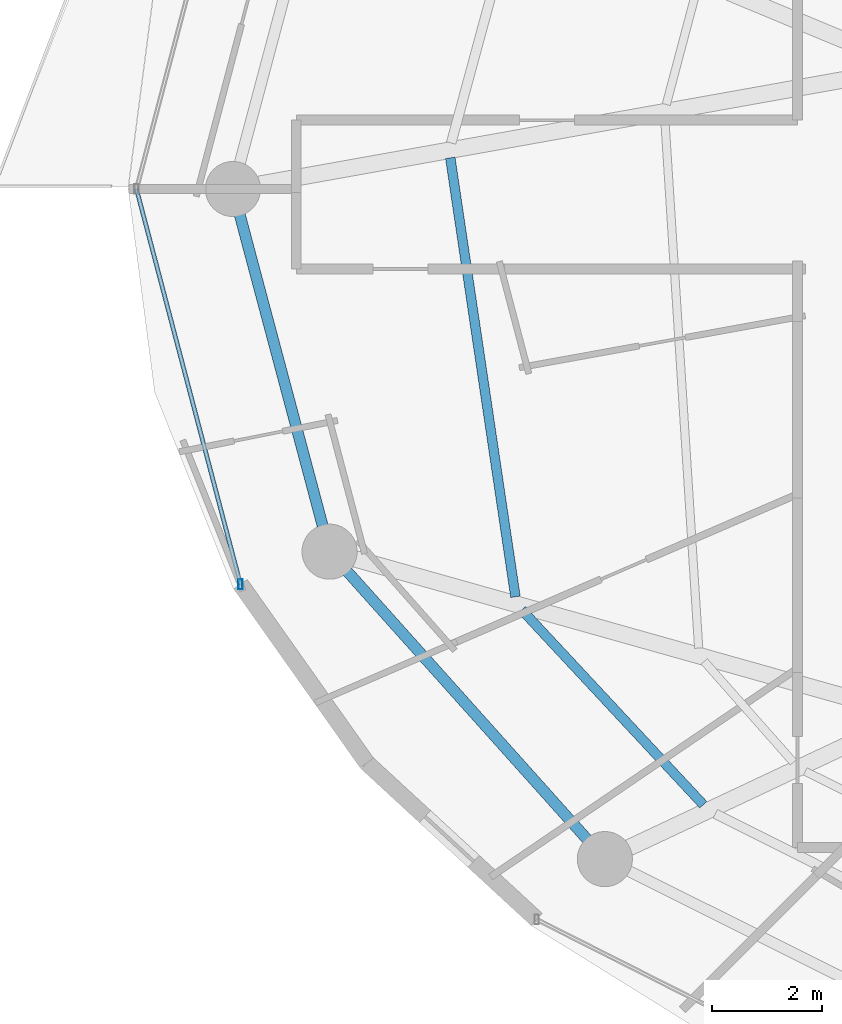
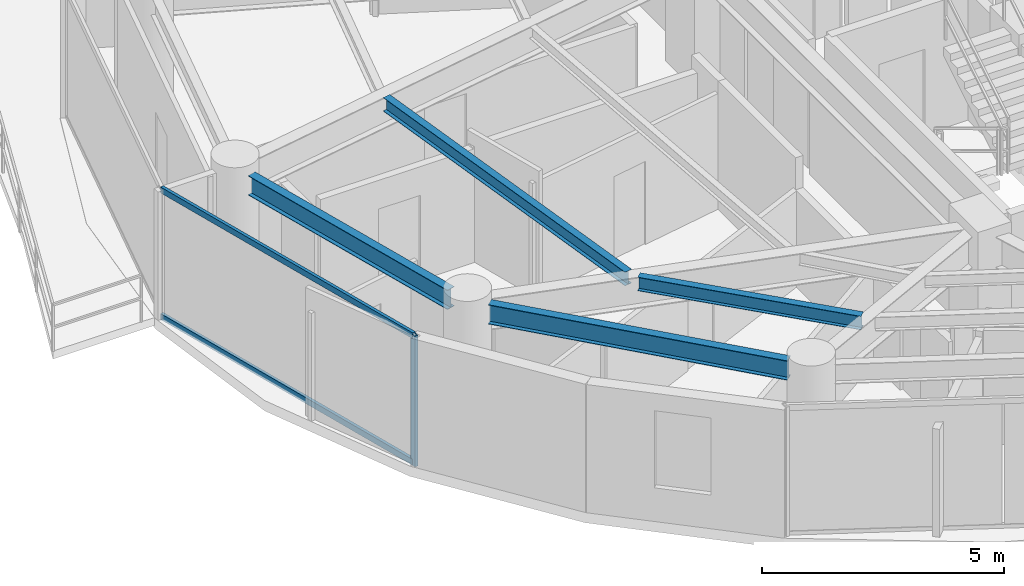
# One storey, part 3 of 31: 4 beams, 3 members, 1 element without a shape of its own.
"""IFC4 building model written with IfcOpenShell, lengths in metres."""

from ifc_helpers import new_model, si_unit, direction, frame, origin, origin_2d, place, context, subcontext, project, spatial, hollow_rectangle, i_section, extrude, material, material_profile, profile_set, type_object, element, aggregate, save


model = new_model("IFC4")

# Units and contexts
model_context = context("Model", 3, precision=1e-05, world=origin(), true_north=direction((0.0, 1.0)))
body_context = subcontext(model_context, "Body", "Model", "MODEL_VIEW")
ifc_project = project(units=[si_unit("LENGTHUNIT", "METRE"), si_unit("AREAUNIT", "SQUARE_METRE"), si_unit("VOLUMEUNIT", "CUBIC_METRE"), si_unit("PLANEANGLEUNIT", "RADIAN"), si_unit("MASSUNIT", "GRAM", prefix="KILO")], contexts=[model_context])

# Site, building, storey
site_placement = place(None, origin())
site = spatial("IfcSite", under=ifc_project, at=site_placement, CompositionType="ELEMENT")
building_placement = place(site_placement, origin())
building = spatial("IfcBuilding", under=site, at=building_placement, Name="Vorneva Point Tower", CompositionType="ELEMENT")
storey_placement = place(building_placement, frame((0.0, 0.0, 132.60009765625)))
storey = spatial("IfcBuildingStorey", under=building, at=storey_placement, Name="L35", CompositionType="ELEMENT", Elevation=132.60009765625)

# Beams
ifc_material_1 = material(Name="Steel S355", Category="steel")
ifc_material_profile_1 = material_profile(ifc_material_1, i_section(OverallWidth=0.174072265625, OverallDepth=0.345947265625, WebThickness=0.006103515625, FlangeThickness=0.009033203125, at=origin_2d()), Name="35B1")
ifc_profile_set_1 = profile_set([ifc_material_profile_1], Name="Steel S355")
beam_type_1 = type_object("IfcBeamType", Name="BM-SEC-35B1", PredefinedType="BEAM", material=ifc_profile_set_1)
beam_1_placement = place(storey_placement, frame((18.89599609375, 26.565673828125, 3.06689453125), z_axis=(0.146838688034, -0.989160451947, 0.0), x_axis=(0.989160451947, 0.146838688034, 0.0)))
element("IfcBeam", 1, at=beam_1_placement, inside=storey, type_object=beam_type_1, Name="L35 Secondary Floor Beam 1.09", PredefinedType="BEAM", context=body_context, shape_type="SweptSolid", body=[
    extrude(i_section(OverallWidth=0.174072265625, OverallDepth=0.345947265625, WebThickness=0.006103515625, FlangeThickness=0.009033203125, at=origin_2d()), origin(), (0.0, 0.0, 1.0), 8.053955078125),
])
beam_2_placement = place(storey_placement, frame((20.193115234375, 18.361572265625, 3.06689453125), z_axis=(0.68166662065, -0.731662913022, 0.0), x_axis=(0.731662913022, 0.68166662065, 0.0)))
element("IfcBeam", 2, at=beam_2_placement, inside=storey, type_object=beam_type_1, Name="L35 Secondary Floor Beam 1.10", PredefinedType="BEAM", context=body_context, shape_type="SweptSolid", body=[
    extrude(i_section(OverallWidth=0.174072265625, OverallDepth=0.345947265625, WebThickness=0.006103515625, FlangeThickness=0.009033203125, at=origin_2d()), origin(), (0.0, 0.0, 1.0), 4.834228515625),
])
ifc_material_profile_2 = material_profile(ifc_material_1, i_section(OverallWidth=0.199951171875, OverallDepth=0.491943359375, WebThickness=0.0087890625, FlangeThickness=0.011962890625, at=origin_2d()), Name="50B1")
ifc_profile_set_2 = profile_set([ifc_material_profile_2], Name="Steel S355")
beam_type_2 = type_object("IfcBeamType", Name="BM-SPN-50B1", PredefinedType="SPANDREL", material=ifc_profile_set_2)
beam_3_placement = place(storey_placement, frame((15.074951171875, 25.531494140625, 2.993896484375), z_axis=(0.257550804648, -0.966264758245, 0.0), x_axis=(0.966264758245, 0.257550804648, 0.0)))
element("IfcBeam", 3, at=beam_3_placement, inside=storey, type_object=beam_type_2, Name="L35 Perimeter Spandrel Ring Beam 09", PredefinedType="SPANDREL", context=body_context, shape_type="SweptSolid", body=[
    extrude(i_section(OverallWidth=0.199951171875, OverallDepth=0.491943359375, WebThickness=0.0087890625, FlangeThickness=0.011962890625, at=origin_2d()), origin(), (0.0, 0.0, 1.0), 5.842041015625),
])
beam_4_placement = place(storey_placement, frame((17.028076171875, 19.056396484375, 2.993896484375), z_axis=(0.667111118975, -0.74495822362, 0.0), x_axis=(0.74495822362, 0.667111118975, 0.0)))
element("IfcBeam", 4, at=beam_4_placement, inside=storey, type_object=beam_type_2, Name="L35 Perimeter Spandrel Ring Beam 10", PredefinedType="SPANDREL", context=body_context, shape_type="SweptSolid", body=[
    extrude(i_section(OverallWidth=0.199951171875, OverallDepth=0.491943359375, WebThickness=0.0087890625, FlangeThickness=0.011962890625, at=origin_2d()), origin(), (0.0, 0.0, 1.0), 6.52001953125),
])

# Curtain wall, members
ifc_material_2 = material(Name="Pale anodised aluminium", Category="aluminium")
curtain_wall_type = type_object("IfcCurtainWallType", Name="CW-RES-SYS", PredefinedType="NOTDEFINED", material=ifc_material_2)
curtain_wall_placement = place(storey_placement, origin())
curtain_wall = element("IfcCurtainWall", 5, at=curtain_wall_placement, inside=storey, type_object=curtain_wall_type, Name="L35 Unitised Curtain Wall CW-L35-R03", PredefinedType="NOTDEFINED")
ifc_material_profile_3 = material_profile(ifc_material_2, hollow_rectangle(XDim=0.074951171875, YDim=0.179931640625, WallThickness=0.00390625, at=origin_2d()), Name="AL-MUL 180x75x4")
ifc_profile_set_3 = profile_set([ifc_material_profile_3], Name="Pale anodised aluminium")
member_type_1 = type_object("IfcMemberType", Name="CW-MUL-180", PredefinedType="MULLION", material=ifc_profile_set_3)
member_1_placement = place(storey_placement, frame((15.087890625, 18.82470703125, -0.0400390625), z_axis=(0.0, 0.0, 1.0), x_axis=(1.0, 0.0, 0.0)))
member_1 = element("IfcMember", 6, at=member_1_placement, type_object=member_type_1, Name="CW-L35-R03 Mullion 03", PredefinedType="MULLION", context=body_context, shape_type="SweptSolid", body=[
    extrude(hollow_rectangle(XDim=0.074951171875, YDim=0.179931640625, WallThickness=0.00390625, at=origin_2d()), origin(), (0.0, 0.0, 1.0), 3.31005859375),
])
ifc_material_profile_4 = material_profile(ifc_material_2, hollow_rectangle(XDim=0.074951171875, YDim=0.14990234375, WallThickness=0.00390625, at=origin_2d()), Name="AL-TRN 150x75x4")
ifc_profile_set_4 = profile_set([ifc_material_profile_4], Name="Pale anodised aluminium")
member_type_2 = type_object("IfcMemberType", Name="CW-TRN-150", PredefinedType="USERDEFINED", material=ifc_profile_set_4)
member_2_placement = place(storey_placement, frame((13.199951171875, 26.0, 0.02001953125), z_axis=(0.254456046293, -0.967084339913, 0.0), x_axis=(0.967084339913, 0.254456046293, 0.0)))
member_2 = element("IfcMember", 7, at=member_2_placement, type_object=member_type_2, Name="CW-L35-R03 Transom 02.1", ObjectType="TRANSOM", PredefinedType="USERDEFINED", context=body_context, shape_type="SweptSolid", body=[
    extrude(hollow_rectangle(XDim=0.074951171875, YDim=0.14990234375, WallThickness=0.00390625, at=origin_2d()), origin(), (0.0, 0.0, 1.0), 7.41943359375),
])
member_3_placement = place(storey_placement, frame((13.199951171875, 26.0, 3.219970703125), z_axis=(0.254456046293, -0.967084339913, 0.0), x_axis=(0.967084339913, 0.254456046293, 0.0)))
member_3 = element("IfcMember", 8, at=member_3_placement, type_object=member_type_2, Name="CW-L35-R03 Transom 02.2", ObjectType="TRANSOM", PredefinedType="USERDEFINED", context=body_context, shape_type="SweptSolid", body=[
    extrude(hollow_rectangle(XDim=0.074951171875, YDim=0.14990234375, WallThickness=0.00390625, at=origin_2d()), origin(), (0.0, 0.0, 1.0), 7.41943359375),
])
aggregate(curtain_wall, [member_1, member_2, member_3])

save(model, "model.ifc")
